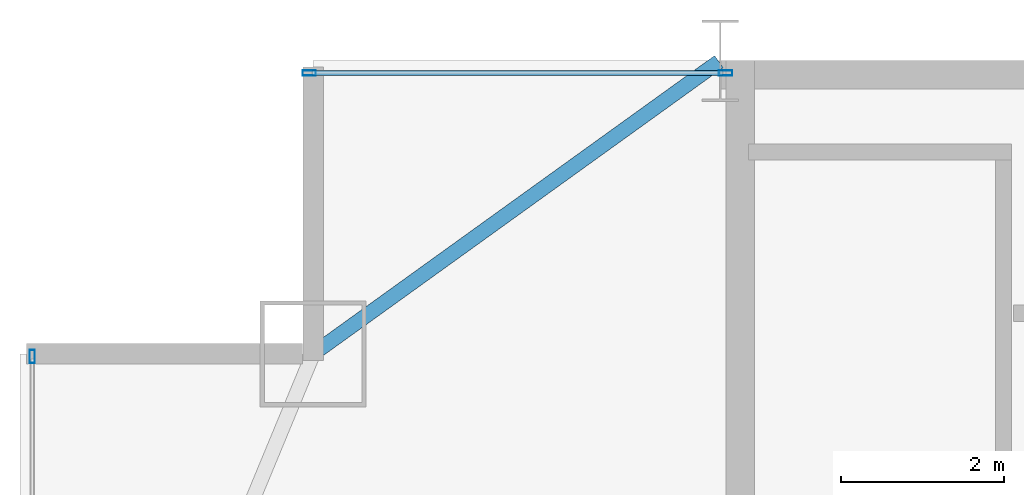
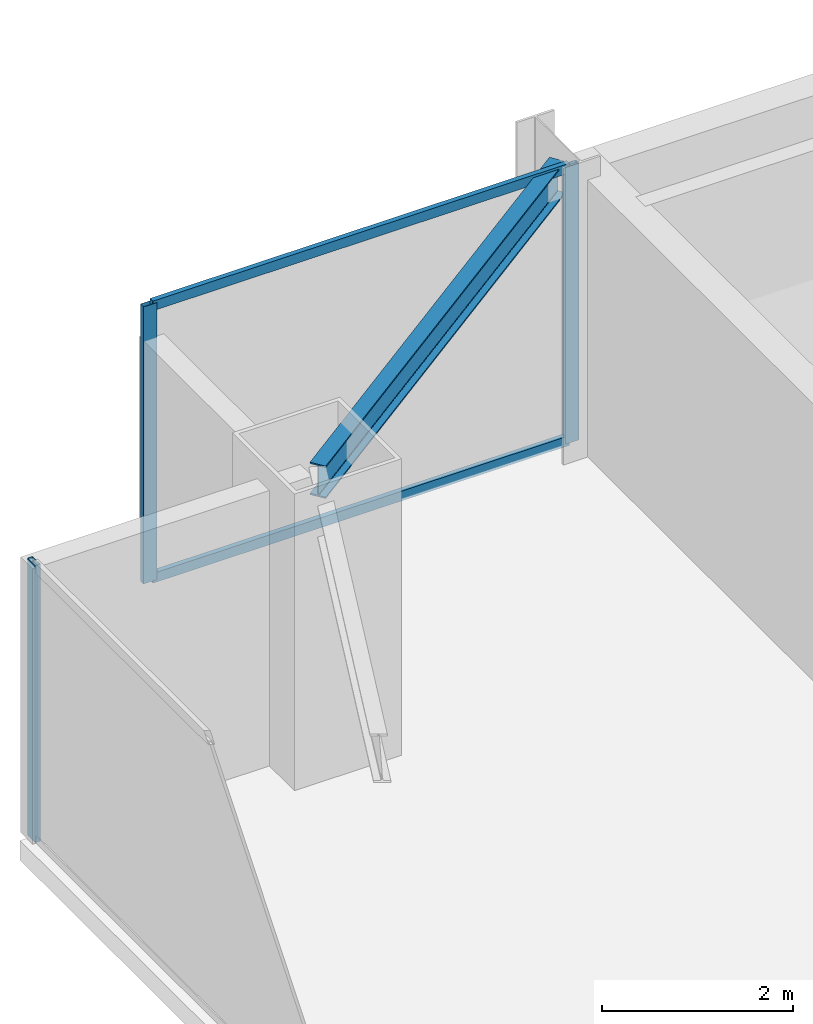
# One storey, part 20 of 32: 5 members, 1 beam, 2 elements without a shape of their own.
"""IFC4 building model written with IfcOpenShell, lengths in metres."""

from ifc_helpers import new_model, si_unit, direction, frame, origin, origin_2d, place, context, subcontext, project, spatial, hollow_rectangle, i_section, extrude, source, transform, mapped, material, layer, layer_set, material_profile, profile_set, type_object, type_shapes, element, aggregate, save


model = new_model("IFC4")

# Units and contexts
model_context = context("Model", 3, precision=1e-05, world=origin(), true_north=direction((0.0, 1.0)))
body_context = subcontext(model_context, "Body", "Model", "MODEL_VIEW")
ifc_project = project(units=[si_unit("LENGTHUNIT", "METRE"), si_unit("AREAUNIT", "SQUARE_METRE"), si_unit("VOLUMEUNIT", "CUBIC_METRE"), si_unit("PLANEANGLEUNIT", "RADIAN"), si_unit("MASSUNIT", "GRAM", prefix="KILO")], contexts=[model_context])

# Site, building, storey
site_placement = place(None, origin())
site = spatial("IfcSite", under=ifc_project, at=site_placement, CompositionType="ELEMENT")
building_placement = place(site_placement, origin())
building = spatial("IfcBuilding", under=site, at=building_placement, Name="Varnel Quay Broadcast Tower", CompositionType="ELEMENT")
storey_placement = place(building_placement, frame((0.0, 0.0, 164.800048828125)))
storey = spatial("IfcBuildingStorey", under=building, at=storey_placement, Name="L40", CompositionType="ELEMENT", Elevation=164.800048828125)

# Beam
ifc_material_1 = material(Name="Structural Steel CSA G40.21 350W", Category="steel")
ifc_material_profile_1 = material_profile(ifc_material_1, i_section(OverallWidth=0.180908203125, OverallDepth=0.4169921875, WebThickness=0.010986328125, FlangeThickness=0.018310546875, FilletRadius=0.011962890625, at=origin_2d()), Name="W410X85")
ifc_profile_set_1 = profile_set([ifc_material_profile_1], Name="Structural Steel CSA G40.21 350W")
beam_type = type_object("IfcBeamType", Name="Beam_W410X85", PredefinedType="SPANDREL", material=ifc_profile_set_1)
shared_shape_1 = source(origin(), body_context, "Body", "SweptSolid", [
    extrude(i_section(OverallWidth=0.180908203125, OverallDepth=0.4169921875, WebThickness=0.010986328125, FlangeThickness=0.018310546875, FilletRadius=0.011962890625, at=origin_2d()), origin(), (0.0, 0.0, 1.0), 6.12109375),
])
type_shapes(beam_type, [shared_shape_1])
beam_placement = place(storey_placement, frame((10.6162109375, 43.211669921875, 3.341552734375), z_axis=(0.811531315425, 0.584308928637, 0.0), x_axis=(-0.584308928637, 0.811531315425, 0.0)))
element("IfcBeam", 1, at=beam_placement, inside=storey, type_object=beam_type, Name="L40 NW Tie Spandrel", PredefinedType="SPANDREL", context=body_context, shape_type="MappedRepresentation", body=[
    mapped(shared_shape_1, transform((0.0, 0.0, 0.0), x_axis=(1.0, 0.0, 0.0), y_axis=(0.0, 1.0, 0.0), z_axis=(0.0, 0.0, 1.0), scale=1.0)),
])

# Curtain wall, member
ifc_material_2 = material(Name="Anodised Bronze Aluminium 6063-T6", Category="aluminium")
ifc_layer = layer(ifc_material_2, 0.18994140625, Name="Anodised Bronze Aluminium 6063-T6")
ifc_layer_set = layer_set([ifc_layer], Name="Anodised Bronze Aluminium 6063-T6")
curtain_wall_type = type_object("IfcCurtainWallType", Name="CW_UpperTower", PredefinedType="NOTDEFINED", material=ifc_layer_set)
curtain_wall_1_placement = place(storey_placement, origin())
curtain_wall_1 = element("IfcCurtainWall", 2, at=curtain_wall_1_placement, inside=storey, type_object=curtain_wall_type, Name="L40 West Unitised Curtain Wall", PredefinedType="NOTDEFINED")
ifc_material_profile_2 = material_profile(ifc_material_2, hollow_rectangle(XDim=0.06494140625, YDim=0.1650390625, WallThickness=0.00341796875, at=origin_2d()), Name="ALU65X165X3.5")
ifc_profile_set_2 = profile_set([ifc_material_profile_2], Name="Anodised Bronze Aluminium 6063-T6")
member_type_1 = type_object("IfcMemberType", Name="Mull_CWS-03", PredefinedType="MULLION", material=ifc_profile_set_2)
shared_shape_2 = source(origin(), body_context, "Body", "SweptSolid", [
    extrude(hollow_rectangle(XDim=0.06494140625, YDim=0.1650390625, WallThickness=0.00341796875, at=origin_2d()), origin(), (0.0, 0.0, 1.0), 3.550048828125),
])
type_shapes(member_type_1, [shared_shape_2])
member_1_placement = place(storey_placement, frame((7.14990234375, 43.16748046875, 0.0), z_axis=(0.0, 0.0, 1.0), x_axis=(-1.0, 0.0, 0.0)))
member_1 = element("IfcMember", 3, at=member_1_placement, type_object=member_type_1, Name="CWS-03 mullion 4", PredefinedType="MULLION", context=body_context, shape_type="MappedRepresentation", body=[
    mapped(shared_shape_2, transform((0.0, 0.0, 0.0), x_axis=(1.0, 0.0, 0.0), y_axis=(0.0, 1.0, 0.0), z_axis=(0.0, 0.0, 1.0), scale=1.0)),
])
aggregate(curtain_wall_1, [member_1])

# Curtain wall, members
curtain_wall_2_placement = place(storey_placement, origin())
curtain_wall_2 = element("IfcCurtainWall", 4, at=curtain_wall_2_placement, inside=storey, type_object=curtain_wall_type, Name="L40 NW Wing Curtain Wall", PredefinedType="NOTDEFINED")
member_2_placement = place(storey_placement, frame((10.552490234375, 46.64990234375, 0.0), z_axis=(0.0, 0.0, 1.0), x_axis=(0.0, 1.0, 0.0)))
member_2 = element("IfcMember", 5, at=member_2_placement, type_object=member_type_1, Name="CWS-03 mullion 1", PredefinedType="MULLION", context=body_context, shape_type="MappedRepresentation", body=[
    mapped(shared_shape_2, transform((0.0, 0.0, 0.0), x_axis=(1.0, 0.0, 0.0), y_axis=(0.0, 1.0, 0.0), z_axis=(0.0, 0.0, 1.0), scale=1.0)),
])
member_3_placement = place(storey_placement, frame((15.66748046875, 46.64990234375, 0.0), z_axis=(0.0, 0.0, 1.0), x_axis=(0.0, 1.0, 0.0)))
member_3 = element("IfcMember", 6, at=member_3_placement, type_object=member_type_1, Name="CWS-03 mullion 2", PredefinedType="MULLION", context=body_context, shape_type="MappedRepresentation", body=[
    mapped(shared_shape_2, transform((0.0, 0.0, 0.0), x_axis=(1.0, 0.0, 0.0), y_axis=(0.0, 1.0, 0.0), z_axis=(0.0, 0.0, 1.0), scale=1.0)),
])
ifc_material_profile_3 = material_profile(ifc_material_2, hollow_rectangle(XDim=0.06005859375, YDim=0.125, WallThickness=0.0029296875, at=origin_2d()), Name="ALU60X125X3")
ifc_profile_set_3 = profile_set([ifc_material_profile_3], Name="Anodised Bronze Aluminium 6063-T6")
member_type_2 = type_object("IfcMemberType", Name="Tran_CWS-03", PredefinedType="USERDEFINED", material=ifc_profile_set_3)
shared_shape_3 = source(origin(), body_context, "Body", "SweptSolid", [
    extrude(hollow_rectangle(XDim=0.06005859375, YDim=0.125, WallThickness=0.0029296875, at=origin_2d()), origin(), (0.0, 0.0, 1.0), 5.050048828125),
])
type_shapes(member_type_2, [shared_shape_3])
member_4_placement = place(storey_placement, frame((10.5849609375, 46.64990234375, 0.030029296875), z_axis=(1.0, 0.0, 0.0), x_axis=(0.0, 1.0, 0.0)))
member_4 = element("IfcMember", 7, at=member_4_placement, type_object=member_type_2, Name="CWS-03 transom 1.1", ObjectType="TRANSOM", PredefinedType="USERDEFINED", context=body_context, shape_type="MappedRepresentation", body=[
    mapped(shared_shape_3, transform((0.0, 0.0, 0.0), x_axis=(1.0, 0.0, 0.0), y_axis=(0.0, 1.0, 0.0), z_axis=(0.0, 0.0, 1.0), scale=1.0)),
])
member_5_placement = place(storey_placement, frame((10.5849609375, 46.64990234375, 3.52001953125), z_axis=(1.0, 0.0, 0.0), x_axis=(0.0, 1.0, 0.0)))
member_5 = element("IfcMember", 8, at=member_5_placement, type_object=member_type_2, Name="CWS-03 transom 1.2", ObjectType="TRANSOM", PredefinedType="USERDEFINED", context=body_context, shape_type="MappedRepresentation", body=[
    mapped(shared_shape_3, transform((0.0, 0.0, 0.0), x_axis=(1.0, 0.0, 0.0), y_axis=(0.0, 1.0, 0.0), z_axis=(0.0, 0.0, 1.0), scale=1.0)),
])
aggregate(curtain_wall_2, [member_2, member_3, member_4, member_5])

save(model, "model.ifc")
